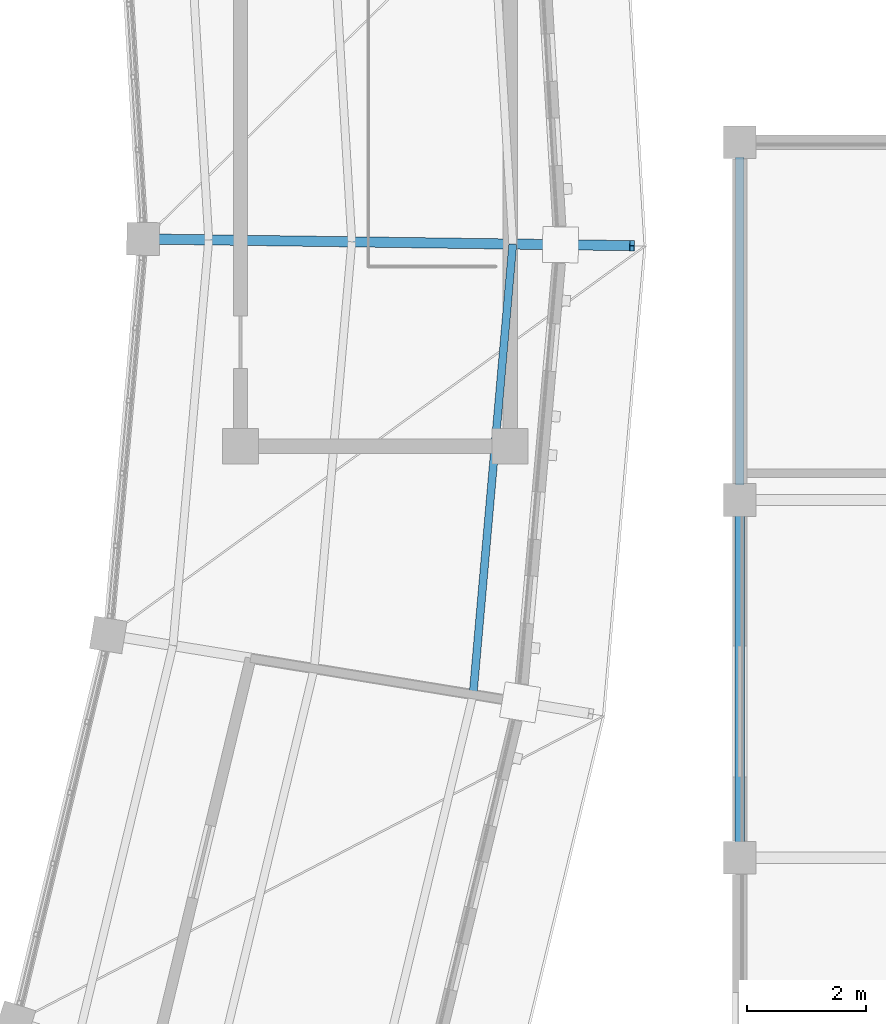
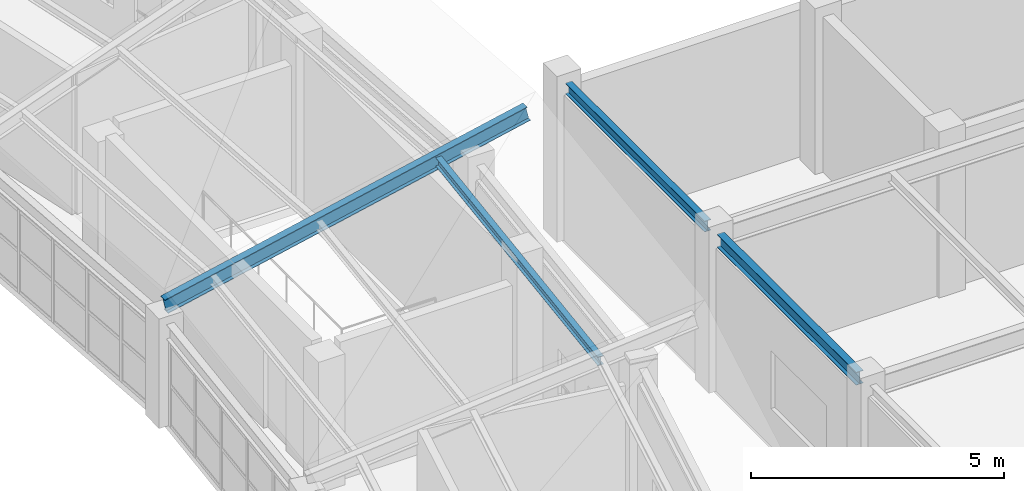
# One storey, part 93 of 149: 2 beams, 2 members.
"""IFC4 building model written with IfcOpenShell, lengths in metres."""

from ifc_helpers import new_model, si_unit, direction, frame, origin, origin_2d, place, context, subcontext, project, spatial, i_section, extrude, material, material_profile, profile_set, type_object, element, save


model = new_model("IFC4")

# Units and contexts
model_context = context("Model", 3, precision=1e-05, world=origin(), true_north=direction((0.0, 1.0)))
body_context = subcontext(model_context, "Body", "Model", "MODEL_VIEW")
ifc_project = project(units=[si_unit("LENGTHUNIT", "METRE"), si_unit("AREAUNIT", "SQUARE_METRE"), si_unit("VOLUMEUNIT", "CUBIC_METRE"), si_unit("PLANEANGLEUNIT", "RADIAN"), si_unit("MASSUNIT", "GRAM", prefix="KILO")], contexts=[model_context])

# Site, building, storey
site_placement = place(None, origin())
site = spatial("IfcSite", under=ifc_project, at=site_placement, CompositionType="ELEMENT")
building_placement = place(site_placement, origin())
building = spatial("IfcBuilding", under=site, at=building_placement, Name="Celadon Cloister-Ring School", CompositionType="ELEMENT")
storey_placement = place(building_placement, frame((0.0, 0.0, 12.5)))
storey = spatial("IfcBuildingStorey", under=building, at=storey_placement, Name="L03", CompositionType="ELEMENT", Elevation=12.5)

# Beams
ifc_material_1 = material(Name="Structural steel S355JR", Category="steel")
ifc_material_profile_1 = material_profile(ifc_material_1, i_section(OverallWidth=0.1650390625, OverallDepth=0.31005859375, WebThickness=0.005859375, FlangeThickness=0.009765625, at=origin_2d()), Name="W310X39")
ifc_profile_set_1 = profile_set([ifc_material_profile_1], Name="Structural steel S355JR")
beam_type_1 = type_object("IfcBeamType", Name="BT-09", PredefinedType="BEAM", material=ifc_profile_set_1)
beam_1_placement = place(storey_placement, frame((142.0, 48.25, 3.60498046875), z_axis=(0.0, 1.0, 0.0), x_axis=(-1.0, 0.0, 0.0)))
element("IfcBeam", 1, at=beam_1_placement, inside=storey, type_object=beam_type_1, Name="Beam 1454", PredefinedType="BEAM", context=body_context, shape_type="SweptSolid", body=[
    extrude(i_section(OverallWidth=0.1650390625, OverallDepth=0.31005859375, WebThickness=0.005859375, FlangeThickness=0.009765625, at=origin_2d()), origin(), (0.0, 0.0, 1.0), 5.5),
])
ifc_material_2 = material(Name="Structural steel S355JR", Category="steel")
ifc_material_profile_2 = material_profile(ifc_material_2, i_section(OverallWidth=0.14599609375, OverallDepth=0.258056640625, WebThickness=0.006103515625, FlangeThickness=0.009033203125, at=origin_2d()), Name="W250X33")
ifc_profile_set_2 = profile_set([ifc_material_profile_2], Name="Structural steel S355JR")
beam_type_2 = type_object("IfcBeamType", Name="BT-10", PredefinedType="BEAM", material=ifc_profile_set_2)
beam_2_placement = place(storey_placement, frame((142.0, 54.25, 3.631103515625), z_axis=(0.0, 1.0, 0.0), x_axis=(-1.0, 0.0, 0.0)))
element("IfcBeam", 2, at=beam_2_placement, inside=storey, type_object=beam_type_2, Name="Beam 1455", PredefinedType="BEAM", context=body_context, shape_type="SweptSolid", body=[
    extrude(i_section(OverallWidth=0.14599609375, OverallDepth=0.258056640625, WebThickness=0.006103515625, FlangeThickness=0.009033203125, at=origin_2d()), origin(), (0.0, 0.0, 1.0), 5.5),
])

# Members
ifc_material_3 = material(Name="Structural steel S355JR", Category="steel")
ifc_material_profile_3 = material_profile(ifc_material_3, i_section(OverallWidth=0.133056640625, OverallDepth=0.20703125, WebThickness=0.005859375, FlangeThickness=0.00830078125, at=origin_2d()), Name="W200X27")
ifc_profile_set_3 = profile_set([ifc_material_profile_3], Name="Structural steel S355JR")
member_type_1 = type_object("IfcMemberType", Name="MP-04", PredefinedType="PURLIN", material=ifc_profile_set_3)
member_1_placement = place(storey_placement, frame((137.529052734375, 50.736083984375, 4.073974609375), z_axis=(0.08780457204, 0.996137719961, 0.0), x_axis=(-0.996137719961, 0.08780457204, 0.0)))
element("IfcMember", 3, at=member_1_placement, inside=storey, type_object=member_type_1, Name="Structural Member 0218", PredefinedType="PURLIN", context=body_context, shape_type="SweptSolid", body=[
    extrude(i_section(OverallWidth=0.133056640625, OverallDepth=0.20703125, WebThickness=0.005859375, FlangeThickness=0.00830078125, at=origin_2d()), origin(), (0.0, 0.0, 1.0), 7.585205078125),
])
ifc_material_4 = material(Name="Structural steel S355JR", Category="steel")
ifc_material_profile_4 = material_profile(ifc_material_4, i_section(OverallWidth=0.1708984375, OverallDepth=0.35498046875, WebThickness=0.007080078125, FlangeThickness=0.01171875, at=origin_2d()), Name="W360X51")
ifc_profile_set_4 = profile_set([ifc_material_profile_4], Name="Structural steel S355JR")
member_type_2 = type_object("IfcMemberType", Name="MR-05", PredefinedType="RAFTER", material=ifc_profile_set_4)
member_2_placement = place(storey_placement, frame((131.99609375, 58.3779296875, 2.72607421875), z_axis=(0.97526075989, -0.013445663932, 0.220648281977), x_axis=(0.013785427273, 0.999904976483, 0.0)))
element("IfcMember", 4, at=member_2_placement, inside=storey, type_object=member_type_2, Name="Structural Member 0058", PredefinedType="RAFTER", context=body_context, shape_type="SweptSolid", body=[
    extrude(i_section(OverallWidth=0.1708984375, OverallDepth=0.35498046875, WebThickness=0.007080078125, FlangeThickness=0.01171875, at=origin_2d()), origin(), (0.0, 0.0, 1.0), 8.406982421875),
])

save(model, "model.ifc")
